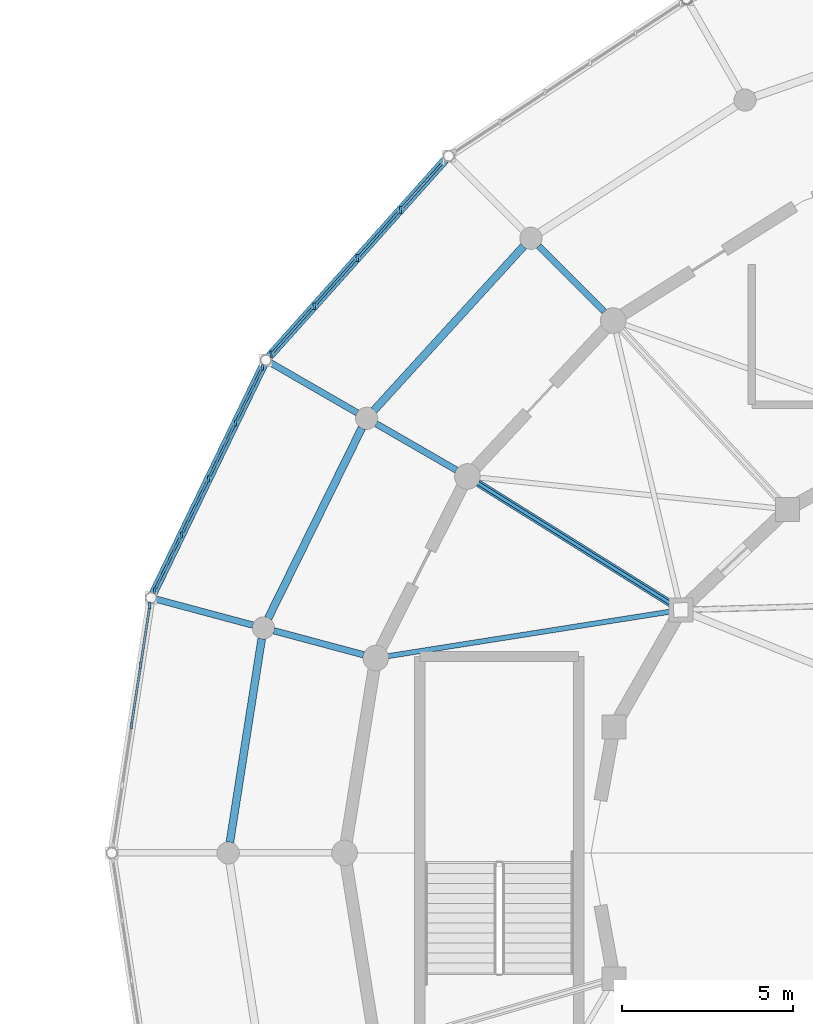
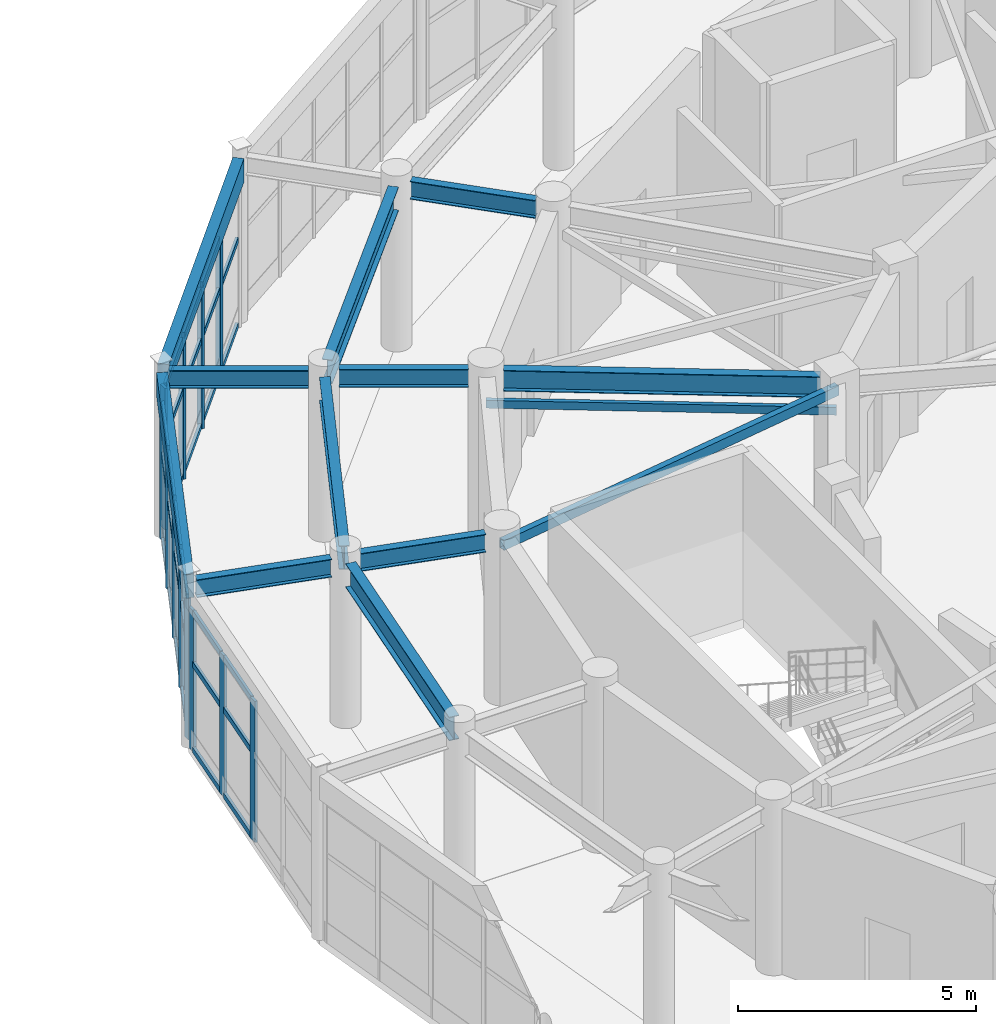
# One storey, part 20 of 60: 43 members, 11 beams, 3 elements without a shape of their own.
"""IFC4 building model written with IfcOpenShell, lengths in metres."""

import ifcopenshell
import ifcopenshell.guid

model = None  # the IFC model being written
_history = None  # IfcOwnerHistory: only IFC2X3 demands one
_inside = {}  # id of a spatial element -> (the spatial element, [elements in it])
_under = {}  # id of a project, library or spatial element -> (it, [spatial elements below it])
_declared = {}  # id of a project -> (the project, [libraries it declares])
_typed = {}  # id of a type object -> (the type object, [elements of that type])
_made_of = {}  # id of a material, layer set ... -> (it, [elements and type objects made of it])


def new_model(schema):
    """Start an empty IFC model of exactly this schema.

    Asked for "IFC4X3", IfcOpenShell would pick the latest addendum, in which some entities
    have other attributes; the version numbers below select the first issue.
    IFC2X3 requires an IfcOwnerHistory on every rooted entity: one is made here for all.
    """
    global model, _history
    if schema == "IFC4X3":
        model = ifcopenshell.file(schema_version=(4, 3, 0, 0))
    else:
        model = ifcopenshell.file(schema=schema)
    _inside.clear()
    _under.clear()
    _declared.clear()
    _typed.clear()
    _made_of.clear()
    _history = None
    if model.schema == "IFC2X3":
        org = make("IfcOrganization", Name="unknown")
        user = make(
            "IfcPersonAndOrganization",
            ThePerson=make("IfcPerson", FamilyName="unknown"),
            TheOrganization=org,
        )
        app = make(
            "IfcApplication",
            ApplicationDeveloper=org,
            Version="unknown",
            ApplicationFullName="unknown",
            ApplicationIdentifier="unknown",
        )
        _history = make(
            "IfcOwnerHistory",
            OwningUser=user,
            OwningApplication=app,
            ChangeAction="ADDED",
            CreationDate=0,
        )
    return model


def make(cls, **values):
    """One entity of the class cls with the attributes given. An attribute that is None is left unset."""
    return model.create_entity(
        cls, **{name: value for name, value in values.items() if value is not None}
    )


def rooted(cls, **values):
    """An entity with a GlobalId (a new one), such as an element, a storey or a relation."""
    return make(cls, GlobalId=ifcopenshell.guid.new(), OwnerHistory=_history, **values)


def si_unit(unit_type, name, prefix=None):
    """IfcSIUnit, for example si_unit("LENGTHUNIT", "METRE", prefix="MILLI")."""
    return make("IfcSIUnit", UnitType=unit_type, Prefix=prefix, Name=name)


def assignment(units):
    """IfcUnitAssignment: the units of a project."""
    return None if units is None else make("IfcUnitAssignment", Units=units)


def point(xyz):
    """IfcCartesianPoint."""
    return None if xyz is None else make("IfcCartesianPoint", Coordinates=xyz)


def direction(xyz):
    """IfcDirection."""
    return None if xyz is None else make("IfcDirection", DirectionRatios=xyz)


def frame(location, z_axis=None, x_axis=None):
    """IfcAxis2Placement3D, a coordinate frame: its origin and axes. An axis left out is left unset."""
    return make(
        "IfcAxis2Placement3D",
        Location=point(location),
        Axis=direction(z_axis),
        RefDirection=direction(x_axis),
    )


def frame_2d(location, x_axis=None):
    """IfcAxis2Placement2D, a coordinate frame in the plane: its origin and x axis."""
    return make(
        "IfcAxis2Placement2D", Location=point(location), RefDirection=direction(x_axis)
    )


def origin():
    """The frame at (0, 0, 0) with its axes left unset."""
    return frame((0.0, 0.0, 0.0))


def origin_2d():
    """The frame at (0, 0) in the plane with its x axis left unset."""
    return frame_2d((0.0, 0.0))


def place(relative_to, where):
    """IfcLocalPlacement: puts the frame where relative to a parent placement (None: the world)."""
    return make(
        "IfcLocalPlacement", PlacementRelTo=relative_to, RelativePlacement=where
    )


def context(
    kind, dimensions, precision=None, world=None, true_north=None, identifier=None
):
    """IfcGeometricRepresentationContext, for example the 3D "Model" context."""
    return make(
        "IfcGeometricRepresentationContext",
        ContextIdentifier=identifier,
        ContextType=kind,
        CoordinateSpaceDimension=dimensions,
        Precision=precision,
        WorldCoordinateSystem=world,
        TrueNorth=true_north,
    )


def subcontext(parent, identifier, kind, view, scale=None):
    """IfcGeometricRepresentationSubContext, for example "Body" below "Model"."""
    return make(
        "IfcGeometricRepresentationSubContext",
        ContextIdentifier=identifier,
        ContextType=kind,
        ParentContext=parent,
        TargetScale=scale,
        TargetView=view,
    )


def project(units=None, contexts=None):
    """IfcProject with its units and contexts."""
    return rooted(
        "IfcProject",
        Name="project",
        RepresentationContexts=contexts,
        UnitsInContext=assignment(units),
    )


def spatial(cls, under=None, at=None, **own):
    """A site, building, storey or space (cls), placed at a placement, below another one or the project."""
    s = rooted(cls, ObjectPlacement=at, **own)
    if under is not None:
        _under.setdefault(under.id(), (under, []))[1].append(s)
    return s


def profile(cls, at=None, kind="AREA", **sizes):
    """A parametric profile (cls). Its sizes go by their IFC names, for example OverallWidth=200.0."""
    return make(cls, ProfileType=kind, Position=at, **sizes)


def rectangle(**sizes):
    """IfcRectangleProfileDef."""
    return profile("IfcRectangleProfileDef", **sizes)


def hollow_rectangle(**sizes):
    """IfcRectangleHollowProfileDef."""
    return profile("IfcRectangleHollowProfileDef", **sizes)


def i_section(**sizes):
    """IfcIShapeProfileDef."""
    return profile("IfcIShapeProfileDef", **sizes)


def extrude(swept, where, along, depth):
    """IfcExtrudedAreaSolid: the profile swept, set in the frame where, extruded along a direction by depth."""
    return make(
        "IfcExtrudedAreaSolid",
        SweptArea=swept,
        Position=where,
        ExtrudedDirection=direction(along),
        Depth=depth,
    )


def shape(context_of_items, identifier, shape_type, items):
    """IfcShapeRepresentation: the items that make up one representation, for example the "Body"."""
    return make(
        "IfcShapeRepresentation",
        ContextOfItems=context_of_items,
        RepresentationIdentifier=identifier,
        RepresentationType=shape_type,
        Items=items,
    )


def material(Name=None, Category=None):
    """IfcMaterial."""
    return make("IfcMaterial", Name=Name, Category=Category)


def material_profile(
    of_material, cross_section, Name=None, Category=None, Priority=None
):
    """IfcMaterialProfile: a cross section and its material."""
    return make(
        "IfcMaterialProfile",
        Name=Name,
        Material=of_material,
        Profile=cross_section,
        Priority=Priority,
        Category=Category,
    )


def profile_set(profiles, Name=None, composite=None):
    """IfcMaterialProfileSet."""
    return make(
        "IfcMaterialProfileSet",
        Name=Name,
        MaterialProfiles=profiles,
        CompositeProfile=composite,
    )


def made_of(thing, what):
    """Note that an element or type object is made of a material, layer set ...; save() writes the relation."""
    if what is not None:
        _made_of.setdefault(what.id(), (what, []))[1].append(thing)
    return thing


def type_object(cls, material=None, **own):
    """A type object (cls), such as IfcWallType, which elements share."""
    return made_of(rooted(cls, **own), material)


def element(
    cls,
    number,
    at=None,
    inside=None,
    cuts=None,
    type_object=None,
    material=None,
    context=None,
    identifier="Body",
    shape_type=None,
    held_by="IfcProductDefinitionShape",
    body=None,
    shapes=None,
    **own,
):
    """One element of the class cls, such as IfcWall. Its Tag is "e" and its number.

    at: its placement. inside: the storey or other place that contains it. cuts: it is an
    opening in that element (IfcRelVoidsElement). A single representation is given by context,
    identifier, shape_type and body (its items); several are given by shapes. held_by: the class
    of the entity that holds the representations. save() writes the other relations.
    """
    e = rooted(cls, Tag="e%d" % number, ObjectPlacement=at, **own)
    if body is not None:
        shapes = [shape(context, identifier, shape_type, body)]
    if shapes is not None:
        e.Representation = make(held_by, Representations=shapes)
    if inside is not None:
        _inside.setdefault(inside.id(), (inside, []))[1].append(e)
    if cuts is not None:
        rooted(
            "IfcRelVoidsElement", RelatingBuildingElement=cuts, RelatedOpeningElement=e
        )
    if type_object is not None:
        _typed.setdefault(type_object.id(), (type_object, []))[1].append(e)
    return made_of(e, material)


def aggregate(whole, parts):
    """IfcRelAggregates: a whole, such as a stair, and the parts it consists of."""
    return rooted("IfcRelAggregates", RelatingObject=whole, RelatedObjects=parts)


def save(model, path):
    """Write the relations noted so far, then the file.

    IfcRelAggregates (storeys below a building ...), IfcRelContainedInSpatialStructure (elements
    in a storey), IfcRelDefinesByType, IfcRelAssociatesMaterial and IfcRelDeclares: one each for
    every whole, place, type object, material and project.
    """
    for whole, parts in _under.values():
        aggregate(whole, parts)
    for where, things in _inside.values():
        rooted(
            "IfcRelContainedInSpatialStructure",
            RelatedElements=things,
            RelatingStructure=where,
        )
    for kind, things in _typed.values():
        rooted("IfcRelDefinesByType", RelatedObjects=things, RelatingType=kind)
    for what, things in _made_of.values():
        rooted("IfcRelAssociatesMaterial", RelatedObjects=things, RelatingMaterial=what)
    for by, libraries in _declared.values():
        rooted("IfcRelDeclares", RelatingContext=by, RelatedDefinitions=libraries)
    model.write(path)


model = new_model("IFC4")

# Units and contexts
model_context = context("Model", 3, precision=1e-05, world=origin(), true_north=direction((0.0, 1.0)))
body_context = subcontext(model_context, "Body", "Model", "MODEL_VIEW")
ifc_project = project(units=[si_unit("LENGTHUNIT", "METRE"), si_unit("AREAUNIT", "SQUARE_METRE"), si_unit("VOLUMEUNIT", "CUBIC_METRE"), si_unit("PLANEANGLEUNIT", "RADIAN"), si_unit("MASSUNIT", "GRAM", prefix="KILO")], contexts=[model_context])

# Site, building, storey
site_placement = place(None, origin())
site = spatial("IfcSite", under=ifc_project, at=site_placement, CompositionType="ELEMENT")
building_placement = place(site_placement, origin())
building = spatial("IfcBuilding", under=site, at=building_placement, Name="Cinderbank Siding Concert Hall", CompositionType="ELEMENT")
storey_placement = place(building_placement, frame((0.0, 0.0, 14.699951171875)))
storey = spatial("IfcBuildingStorey", under=building, at=storey_placement, Name="L04", CompositionType="ELEMENT", Elevation=14.699951171875)

# Beams
ifc_material_1 = material(Name="Structural steel AS/NZS 3679.1 Grade 350 (340 MPa)", Category="steel")
ifc_material_profile_1 = material_profile(ifc_material_1, i_section(OverallWidth=0.19091796875, OverallDepth=0.46044921875, WebThickness=0.010009765625, FlangeThickness=0.01611328125, at=origin_2d()), Name="460UB82.1", Category="LoadBearing")
ifc_profile_set_1 = profile_set([ifc_material_profile_1], Name="Structural steel AS/NZS 3679.1 Grade 350 (340 MPa)")
beam_type_1 = type_object("IfcBeamType", Name="BM-UB460H 460UB82.1", PredefinedType="BEAM", material=ifc_profile_set_1)
beam_1_placement = place(storey_placement, frame((102.7900390625, 59.81591796875, 4.03173828125), z_axis=(-0.707151723938, 0.707061835578, 0.0), x_axis=(-0.707061835578, -0.707151723938, 0.0)))
element("IfcBeam", 1, at=beam_1_placement, inside=storey, type_object=beam_type_1, Name="L04 Beam BM-UB460H #720", PredefinedType="BEAM", context=body_context, shape_type="SweptSolid", body=[
    extrude(i_section(OverallWidth=0.19091796875, OverallDepth=0.46044921875, WebThickness=0.010009765625, FlangeThickness=0.01611328125, at=origin_2d()), origin(), (0.0, 0.0, 1.0), 2.716064453125),
])
beam_2_placement = place(storey_placement, frame((98.47265625, 55.18359375, 4.03173828125), z_axis=(-0.866032896488, 0.499987022033, 0.0), x_axis=(-0.499987022033, -0.866032896488, 0.0)))
element("IfcBeam", 2, at=beam_2_placement, inside=storey, type_object=beam_type_1, Name="L04 Beam BM-UB460H #721", PredefinedType="BEAM", context=body_context, shape_type="SweptSolid", body=[
    extrude(i_section(OverallWidth=0.19091796875, OverallDepth=0.46044921875, WebThickness=0.010009765625, FlangeThickness=0.01611328125, at=origin_2d()), origin(), (0.0, 0.0, 1.0), 2.7158203125),
])
beam_3_placement = place(storey_placement, frame((95.7587890625, 49.7890625, 4.03173828125), z_axis=(-0.965934410535, 0.258787006135, 0.0), x_axis=(-0.258787006135, -0.965934410535, 0.0)))
element("IfcBeam", 3, at=beam_3_placement, inside=storey, type_object=beam_type_1, Name="L04 Beam BM-UB460H #722", PredefinedType="BEAM", context=body_context, shape_type="SweptSolid", body=[
    extrude(i_section(OverallWidth=0.19091796875, OverallDepth=0.46044921875, WebThickness=0.010009765625, FlangeThickness=0.01611328125, at=origin_2d()), origin(), (0.0, 0.0, 1.0), 2.716064453125),
])
beam_4_placement = place(storey_placement, frame((95.571533203125, 56.8583984375, 4.001953125), z_axis=(-0.866013467834, 0.500020673103, 0.0), x_axis=(-0.500020673103, -0.866013467834, 0.0)))
element("IfcBeam", 4, at=beam_4_placement, inside=storey, type_object=beam_type_1, Name="L04 Beam BM-UB460H #745", PredefinedType="BEAM", context=body_context, shape_type="SweptSolid", body=[
    extrude(i_section(OverallWidth=0.19091796875, OverallDepth=0.46044921875, WebThickness=0.010009765625, FlangeThickness=0.01611328125, at=origin_2d()), origin(), (0.0, 0.0, 1.0), 2.92919921875),
])
beam_5_placement = place(storey_placement, frame((92.522705078125, 50.656005859375, 4.001953125), z_axis=(-0.965904885504, 0.258897184534, 0.0), x_axis=(-0.258897184534, -0.965904885504, 0.0)))
element("IfcBeam", 5, at=beam_5_placement, inside=storey, type_object=beam_type_1, Name="L04 Beam BM-UB460H #746", PredefinedType="BEAM", context=body_context, shape_type="SweptSolid", body=[
    extrude(i_section(OverallWidth=0.19091796875, OverallDepth=0.46044921875, WebThickness=0.010009765625, FlangeThickness=0.01611328125, at=origin_2d()), origin(), (0.0, 0.0, 1.0), 2.928955078125),
])
ifc_material_profile_2 = material_profile(ifc_material_1, i_section(OverallWidth=0.208984375, OverallDepth=0.532958984375, WebThickness=0.01025390625, FlangeThickness=0.015625, at=origin_2d()), Name="530UB92.4", Category="LoadBearing")
ifc_profile_set_2 = profile_set([ifc_material_profile_2], Name="Structural steel AS/NZS 3679.1 Grade 350 (340 MPa)")
beam_type_2 = type_object("IfcBeamType", Name="BM-UB530H 530UB92.4", PredefinedType="BEAM", material=ifc_profile_set_2)
beam_6_placement = place(storey_placement, frame((104.73583984375, 51.281494140625, 3.985595703125), z_axis=(-0.84781868984, 0.530286214376, 0.0), x_axis=(-0.530286214376, -0.84781868984, 0.0)))
element("IfcBeam", 6, at=beam_6_placement, inside=storey, type_object=beam_type_2, Name="L04 Beam BM-UB530H #703", PredefinedType="BEAM", context=body_context, shape_type="SweptSolid", body=[
    extrude(i_section(OverallWidth=0.208984375, OverallDepth=0.532958984375, WebThickness=0.01025390625, FlangeThickness=0.015625, at=origin_2d()), origin(), (0.0, 0.0, 1.0), 6.645263671875),
])
ifc_material_profile_3 = material_profile(ifc_material_1, i_section(OverallWidth=0.22802734375, OverallDepth=0.60693359375, WebThickness=0.01123046875, FlangeThickness=0.017333984375, at=origin_2d()), Name="610UB113", Category="LoadBearing")
ifc_profile_set_3 = profile_set([ifc_material_profile_3], Name="Structural steel AS/NZS 3679.1 Grade 350 (340 MPa)")
beam_type_3 = type_object("IfcBeamType", Name="BM-UB610M 610UB113", PredefinedType="BEAM", material=ifc_profile_set_3)
beam_7_placement = place(storey_placement, frame((100.431640625, 61.726318359375, 3.928466796875), z_axis=(-0.67395874418, -0.73876898361, 0.0), x_axis=(0.73876898361, -0.67395874418, 0.0)))
element("IfcBeam", 7, at=beam_7_placement, inside=storey, type_object=beam_type_3, Name="L04 Beam BM-UB610M #661", PredefinedType="BEAM", context=body_context, shape_type="SweptSolid", body=[
    extrude(i_section(OverallWidth=0.22802734375, OverallDepth=0.60693359375, WebThickness=0.01123046875, FlangeThickness=0.017333984375, at=origin_2d()), origin(), (0.0, 0.0, 1.0), 6.48681640625),
])
beam_8_placement = place(storey_placement, frame((95.705810546875, 56.41552734375, 3.928466796875), z_axis=(-0.441813843649, -0.897106753714, 0.0), x_axis=(0.897106753714, -0.441813843649, 0.0)))
element("IfcBeam", 8, at=beam_8_placement, inside=storey, type_object=beam_type_3, Name="L04 Beam BM-UB610M #662", PredefinedType="BEAM", context=body_context, shape_type="SweptSolid", body=[
    extrude(i_section(OverallWidth=0.22802734375, OverallDepth=0.60693359375, WebThickness=0.01123046875, FlangeThickness=0.017333984375, at=origin_2d()), origin(), (0.0, 0.0, 1.0), 6.194580078125),
])
beam_9_placement = place(storey_placement, frame((92.780029296875, 50.2607421875, 3.928466796875), z_axis=(-0.154637914322, -0.987971211855, 0.0), x_axis=(0.987971211855, -0.154637914322, 0.0)))
element("IfcBeam", 9, at=beam_9_placement, inside=storey, type_object=beam_type_3, Name="L04 Beam BM-UB610M #663", PredefinedType="BEAM", context=body_context, shape_type="SweptSolid", body=[
    extrude(i_section(OverallWidth=0.22802734375, OverallDepth=0.60693359375, WebThickness=0.01123046875, FlangeThickness=0.017333984375, at=origin_2d()), origin(), (0.0, 0.0, 1.0), 6.02001953125),
])

# Curtain wall, members
ifc_material_2 = material(Name="Anodised aluminium alloy 6063-T6", Category="aluminium")
curtain_wall_type_1 = type_object("IfcCurtainWallType", Name="CW-11 Unitised Acoustic Curtain Wall 6600x3500", PredefinedType="NOTDEFINED", material=ifc_material_2)
curtain_wall_1_placement = place(storey_placement, origin())
curtain_wall_1 = element("IfcCurtainWall", 10, at=curtain_wall_1_placement, inside=storey, type_object=curtain_wall_type_1, Name="L04 Curtain Wall CW-11 #58", PredefinedType="NOTDEFINED")
ifc_material_profile_4 = material_profile(ifc_material_2, rectangle(XDim=0.06005859375, YDim=0.159912109375, at=origin_2d()), Name="ALU-MULL-60x160", Category="LoadBearing")
ifc_profile_set_4 = profile_set([ifc_material_profile_4], Name="Anodised aluminium alloy 6063-T6")
member_type_1 = type_object("IfcMemberType", Name="CW-ML1 Mullion 60x160", PredefinedType="MULLION", material=ifc_profile_set_4)
member_1_placement = place(storey_placement, frame((92.802734375, 58.19580078125, 0.0), z_axis=(0.0, 0.0, 1.0), x_axis=(1.0, 0.0, 0.0)))
member_1 = element("IfcMember", 11, at=member_1_placement, type_object=member_type_1, Name="CW-L04-058 Mullion 0", PredefinedType="MULLION", context=body_context, shape_type="SweptSolid", body=[
    extrude(rectangle(XDim=0.06005859375, YDim=0.159912109375, at=origin_2d()), origin(), (0.0, 0.0, 1.0), 3.616943359375),
])
member_2_placement = place(storey_placement, frame((92.012939453125, 56.561279296875, 0.0), z_axis=(0.0, 0.0, 1.0), x_axis=(1.0, 0.0, 0.0)))
member_2 = element("IfcMember", 12, at=member_2_placement, type_object=member_type_1, Name="CW-L04-058 Mullion 1", PredefinedType="MULLION", context=body_context, shape_type="SweptSolid", body=[
    extrude(rectangle(XDim=0.06005859375, YDim=0.159912109375, at=origin_2d()), origin(), (0.0, 0.0, 1.0), 3.616943359375),
])
member_3_placement = place(storey_placement, frame((91.22314453125, 54.927001953125, 0.0), z_axis=(0.0, 0.0, 1.0), x_axis=(1.0, 0.0, 0.0)))
member_3 = element("IfcMember", 13, at=member_3_placement, type_object=member_type_1, Name="CW-L04-058 Mullion 2", PredefinedType="MULLION", context=body_context, shape_type="SweptSolid", body=[
    extrude(rectangle(XDim=0.06005859375, YDim=0.159912109375, at=origin_2d()), origin(), (0.0, 0.0, 1.0), 3.616943359375),
])
member_4_placement = place(storey_placement, frame((90.433349609375, 53.292724609375, 0.0), z_axis=(0.0, 0.0, 1.0), x_axis=(1.0, 0.0, 0.0)))
member_4 = element("IfcMember", 14, at=member_4_placement, type_object=member_type_1, Name="CW-L04-058 Mullion 3", PredefinedType="MULLION", context=body_context, shape_type="SweptSolid", body=[
    extrude(rectangle(XDim=0.06005859375, YDim=0.159912109375, at=origin_2d()), origin(), (0.0, 0.0, 1.0), 3.616943359375),
])
member_5_placement = place(storey_placement, frame((89.6435546875, 51.658203125, 0.0), z_axis=(0.0, 0.0, 1.0), x_axis=(1.0, 0.0, 0.0)))
member_5 = element("IfcMember", 15, at=member_5_placement, type_object=member_type_1, Name="CW-L04-058 Mullion 4", PredefinedType="MULLION", context=body_context, shape_type="SweptSolid", body=[
    extrude(rectangle(XDim=0.06005859375, YDim=0.159912109375, at=origin_2d()), origin(), (0.0, 0.0, 1.0), 3.616943359375),
])

curtain_wall_type_2 = type_object("IfcCurtainWallType", Name="CW-10 Unitised Acoustic Curtain Wall 7200x3500", PredefinedType="NOTDEFINED", material=ifc_material_2)
curtain_wall_2_placement = place(storey_placement, origin())
curtain_wall_2 = element("IfcCurtainWall", 16, at=curtain_wall_2_placement, inside=storey, type_object=curtain_wall_type_2, Name="L04 Curtain Wall CW-10 #57", PredefinedType="NOTDEFINED")
ifc_material_profile_5 = material_profile(ifc_material_2, rectangle(XDim=0.06494140625, YDim=0.199951171875, at=origin_2d()), Name="ALU-MULL-65x200", Category="LoadBearing")
ifc_profile_set_5 = profile_set([ifc_material_profile_5], Name="Anodised aluminium alloy 6063-T6")
member_type_2 = type_object("IfcMemberType", Name="CW-ML2 Mullion 65x200", PredefinedType="MULLION", material=ifc_profile_set_5)
member_6_placement = place(storey_placement, frame((96.83056640625, 62.7890625, 0.0), z_axis=(0.0, 0.0, 1.0), x_axis=(1.0, 0.0, 0.0)))
member_6 = element("IfcMember", 17, at=member_6_placement, type_object=member_type_2, Name="CW-L04-057 Mullion 1", PredefinedType="MULLION", context=body_context, shape_type="SweptSolid", body=[
    extrude(rectangle(XDim=0.06494140625, YDim=0.199951171875, at=origin_2d()), origin(), (0.0, 0.0, 1.0), 3.616943359375),
])
member_7_placement = place(storey_placement, frame((95.5712890625, 61.38232421875, 0.0), z_axis=(0.0, 0.0, 1.0), x_axis=(1.0, 0.0, 0.0)))
member_7 = element("IfcMember", 18, at=member_7_placement, type_object=member_type_2, Name="CW-L04-057 Mullion 2", PredefinedType="MULLION", context=body_context, shape_type="SweptSolid", body=[
    extrude(rectangle(XDim=0.06494140625, YDim=0.199951171875, at=origin_2d()), origin(), (0.0, 0.0, 1.0), 3.616943359375),
])
member_8_placement = place(storey_placement, frame((94.31201171875, 59.9755859375, 0.0), z_axis=(0.0, 0.0, 1.0), x_axis=(1.0, 0.0, 0.0)))
member_8 = element("IfcMember", 19, at=member_8_placement, type_object=member_type_2, Name="CW-L04-057 Mullion 3", PredefinedType="MULLION", context=body_context, shape_type="SweptSolid", body=[
    extrude(rectangle(XDim=0.06494140625, YDim=0.199951171875, at=origin_2d()), origin(), (0.0, 0.0, 1.0), 3.616943359375),
])
member_9_placement = place(storey_placement, frame((93.052978515625, 58.569091796875, 0.0), z_axis=(0.0, 0.0, 1.0), x_axis=(1.0, 0.0, 0.0)))
member_9 = element("IfcMember", 20, at=member_9_placement, type_object=member_type_2, Name="CW-L04-057 Mullion 4", PredefinedType="MULLION", context=body_context, shape_type="SweptSolid", body=[
    extrude(rectangle(XDim=0.06494140625, YDim=0.199951171875, at=origin_2d()), origin(), (0.0, 0.0, 1.0), 3.616943359375),
])

curtain_wall_type_3 = type_object("IfcCurtainWallType", Name="CW-12 Unitised Acoustic Curtain Wall 5800x3500", PredefinedType="NOTDEFINED", material=ifc_material_2)
curtain_wall_3_placement = place(storey_placement, origin())
curtain_wall_3 = element("IfcCurtainWall", 21, at=curtain_wall_3_placement, inside=storey, type_object=curtain_wall_type_3, Name="L04 Curtain Wall CW-12 #59", PredefinedType="NOTDEFINED")
member_10_placement = place(storey_placement, frame((89.510498046875, 51.229736328125, 0.0), z_axis=(0.0, 0.0, 1.0), x_axis=(1.0, 0.0, 0.0)))
member_10 = element("IfcMember", 22, at=member_10_placement, type_object=member_type_2, Name="CW-L04-059 Mullion 0", PredefinedType="MULLION", context=body_context, shape_type="SweptSolid", body=[
    extrude(rectangle(XDim=0.06494140625, YDim=0.199951171875, at=origin_2d()), origin(), (0.0, 0.0, 1.0), 3.616943359375),
])
member_11_placement = place(storey_placement, frame((89.241455078125, 49.478271484375, 0.0), z_axis=(0.0, 0.0, 1.0), x_axis=(1.0, 0.0, 0.0)))
member_11 = element("IfcMember", 23, at=member_11_placement, type_object=member_type_2, Name="CW-L04-059 Mullion 1", PredefinedType="MULLION", context=body_context, shape_type="SweptSolid", body=[
    extrude(rectangle(XDim=0.06494140625, YDim=0.199951171875, at=origin_2d()), origin(), (0.0, 0.0, 1.0), 3.616943359375),
])
member_12_placement = place(storey_placement, frame((88.972412109375, 47.72705078125, 0.0), z_axis=(0.0, 0.0, 1.0), x_axis=(1.0, 0.0, 0.0)))
member_12 = element("IfcMember", 24, at=member_12_placement, type_object=member_type_2, Name="CW-L04-059 Mullion 2", PredefinedType="MULLION", context=body_context, shape_type="SweptSolid", body=[
    extrude(rectangle(XDim=0.06494140625, YDim=0.199951171875, at=origin_2d()), origin(), (0.0, 0.0, 1.0), 3.616943359375),
])

# Member
ifc_material_profile_6 = material_profile(ifc_material_2, rectangle(XDim=0.06005859375, YDim=0.1201171875, at=origin_2d()), Name="ALU-TRAN-60x120", Category="LoadBearing")
ifc_profile_set_6 = profile_set([ifc_material_profile_6], Name="Anodised aluminium alloy 6063-T6")
member_type_3 = type_object("IfcMemberType", Name="CW-TR1 Transom 60x120", PredefinedType="USERDEFINED", material=ifc_profile_set_6)
member_13_placement = place(storey_placement, frame((92.76318359375, 58.114013671875, 0.06005859375), z_axis=(-0.435037415308, -0.900412376238, 0.0), x_axis=(0.900412376238, -0.435037415308, 0.0)))
member_13 = element("IfcMember", 25, at=member_13_placement, type_object=member_type_3, Name="CW-L04-058 Transom 0-0", ObjectType="TRANSOM", PredefinedType="USERDEFINED", context=body_context, shape_type="SweptSolid", body=[
    extrude(rectangle(XDim=0.06005859375, YDim=0.1201171875, at=origin_2d()), origin(), (0.0, 0.0, 1.0), 1.633544921875),
])

member_14_placement = place(storey_placement, frame((92.76318359375, 58.114013671875, 2.242431640625), z_axis=(-0.435037415308, -0.900412376238, 0.0), x_axis=(0.900412376238, -0.435037415308, 0.0)))
member_14 = element("IfcMember", 26, at=member_14_placement, type_object=member_type_3, Name="CW-L04-058 Transom 0-1", ObjectType="TRANSOM", PredefinedType="USERDEFINED", context=body_context, shape_type="SweptSolid", body=[
    extrude(rectangle(XDim=0.06005859375, YDim=0.1201171875, at=origin_2d()), origin(), (0.0, 0.0, 1.0), 1.633544921875),
])

member_15_placement = place(storey_placement, frame((92.76318359375, 58.114013671875, 3.55712890625), z_axis=(-0.435037415308, -0.900412376238, 0.0), x_axis=(0.900412376238, -0.435037415308, 0.0)))
member_15 = element("IfcMember", 27, at=member_15_placement, type_object=member_type_3, Name="CW-L04-058 Transom 0-2", ObjectType="TRANSOM", PredefinedType="USERDEFINED", context=body_context, shape_type="SweptSolid", body=[
    extrude(rectangle(XDim=0.06005859375, YDim=0.1201171875, at=origin_2d()), origin(), (0.0, 0.0, 1.0), 1.633544921875),
])

member_16_placement = place(storey_placement, frame((91.973388671875, 56.4794921875, 0.06005859375), z_axis=(-0.435095962233, -0.900384086737, 0.0), x_axis=(0.900384086737, -0.435095962233, 0.0)))
member_16 = element("IfcMember", 28, at=member_16_placement, type_object=member_type_3, Name="CW-L04-058 Transom 1-0", ObjectType="TRANSOM", PredefinedType="USERDEFINED", context=body_context, shape_type="SweptSolid", body=[
    extrude(rectangle(XDim=0.06005859375, YDim=0.1201171875, at=origin_2d()), origin(), (0.0, 0.0, 1.0), 1.63330078125),
])

member_17_placement = place(storey_placement, frame((91.973388671875, 56.4794921875, 2.242431640625), z_axis=(-0.435095962233, -0.900384086737, 0.0), x_axis=(0.900384086737, -0.435095962233, 0.0)))
member_17 = element("IfcMember", 29, at=member_17_placement, type_object=member_type_3, Name="CW-L04-058 Transom 1-1", ObjectType="TRANSOM", PredefinedType="USERDEFINED", context=body_context, shape_type="SweptSolid", body=[
    extrude(rectangle(XDim=0.06005859375, YDim=0.1201171875, at=origin_2d()), origin(), (0.0, 0.0, 1.0), 1.63330078125),
])

member_18_placement = place(storey_placement, frame((91.973388671875, 56.4794921875, 3.55712890625), z_axis=(-0.435095962233, -0.900384086737, 0.0), x_axis=(0.900384086737, -0.435095962233, 0.0)))
member_18 = element("IfcMember", 30, at=member_18_placement, type_object=member_type_3, Name="CW-L04-058 Transom 1-2", ObjectType="TRANSOM", PredefinedType="USERDEFINED", context=body_context, shape_type="SweptSolid", body=[
    extrude(rectangle(XDim=0.06005859375, YDim=0.1201171875, at=origin_2d()), origin(), (0.0, 0.0, 1.0), 1.63330078125),
])

member_19_placement = place(storey_placement, frame((91.18359375, 54.84521484375, 0.06005859375), z_axis=(-0.435095962233, -0.900384086737, 0.0), x_axis=(0.900384086737, -0.435095962233, 0.0)))
member_19 = element("IfcMember", 31, at=member_19_placement, type_object=member_type_3, Name="CW-L04-058 Transom 2-0", ObjectType="TRANSOM", PredefinedType="USERDEFINED", context=body_context, shape_type="SweptSolid", body=[
    extrude(rectangle(XDim=0.06005859375, YDim=0.1201171875, at=origin_2d()), origin(), (0.0, 0.0, 1.0), 1.63330078125),
])

member_20_placement = place(storey_placement, frame((91.18359375, 54.84521484375, 2.242431640625), z_axis=(-0.435095962233, -0.900384086737, 0.0), x_axis=(0.900384086737, -0.435095962233, 0.0)))
member_20 = element("IfcMember", 32, at=member_20_placement, type_object=member_type_3, Name="CW-L04-058 Transom 2-1", ObjectType="TRANSOM", PredefinedType="USERDEFINED", context=body_context, shape_type="SweptSolid", body=[
    extrude(rectangle(XDim=0.06005859375, YDim=0.1201171875, at=origin_2d()), origin(), (0.0, 0.0, 1.0), 1.63330078125),
])

member_21_placement = place(storey_placement, frame((91.18359375, 54.84521484375, 3.55712890625), z_axis=(-0.435095962233, -0.900384086737, 0.0), x_axis=(0.900384086737, -0.435095962233, 0.0)))
member_21 = element("IfcMember", 33, at=member_21_placement, type_object=member_type_3, Name="CW-L04-058 Transom 2-2", ObjectType="TRANSOM", PredefinedType="USERDEFINED", context=body_context, shape_type="SweptSolid", body=[
    extrude(rectangle(XDim=0.06005859375, YDim=0.1201171875, at=origin_2d()), origin(), (0.0, 0.0, 1.0), 1.63330078125),
])

member_22_placement = place(storey_placement, frame((90.393798828125, 53.2109375, 0.06005859375), z_axis=(-0.435037415308, -0.900412376238, 0.0), x_axis=(0.900412376238, -0.435037415308, 0.0)))
member_22 = element("IfcMember", 34, at=member_22_placement, type_object=member_type_3, Name="CW-L04-058 Transom 3-0", ObjectType="TRANSOM", PredefinedType="USERDEFINED", context=body_context, shape_type="SweptSolid", body=[
    extrude(rectangle(XDim=0.06005859375, YDim=0.1201171875, at=origin_2d()), origin(), (0.0, 0.0, 1.0), 1.633544921875),
])

member_23_placement = place(storey_placement, frame((90.393798828125, 53.2109375, 2.242431640625), z_axis=(-0.435037415308, -0.900412376238, 0.0), x_axis=(0.900412376238, -0.435037415308, 0.0)))
member_23 = element("IfcMember", 35, at=member_23_placement, type_object=member_type_3, Name="CW-L04-058 Transom 3-1", ObjectType="TRANSOM", PredefinedType="USERDEFINED", context=body_context, shape_type="SweptSolid", body=[
    extrude(rectangle(XDim=0.06005859375, YDim=0.1201171875, at=origin_2d()), origin(), (0.0, 0.0, 1.0), 1.633544921875),
])

member_24_placement = place(storey_placement, frame((90.393798828125, 53.2109375, 3.55712890625), z_axis=(-0.435037415308, -0.900412376238, 0.0), x_axis=(0.900412376238, -0.435037415308, 0.0)))
member_24 = element("IfcMember", 36, at=member_24_placement, type_object=member_type_3, Name="CW-L04-058 Transom 3-2", ObjectType="TRANSOM", PredefinedType="USERDEFINED", context=body_context, shape_type="SweptSolid", body=[
    extrude(rectangle(XDim=0.06005859375, YDim=0.1201171875, at=origin_2d()), origin(), (0.0, 0.0, 1.0), 1.633544921875),
])

aggregate(curtain_wall_1, [member_1, member_2, member_3, member_4, member_5, member_13, member_14, member_15, member_16, member_17, member_18, member_19, member_20, member_21, member_22, member_23, member_24])

ifc_material_profile_7 = material_profile(ifc_material_2, rectangle(XDim=0.06494140625, YDim=0.14990234375, at=origin_2d()), Name="ALU-TRAN-65x150", Category="LoadBearing")
ifc_profile_set_7 = profile_set([ifc_material_profile_7], Name="Anodised aluminium alloy 6063-T6")
member_type_4 = type_object("IfcMemberType", Name="CW-TR2 Transom 65x150", PredefinedType="USERDEFINED", material=ifc_profile_set_7)
member_25_placement = place(storey_placement, frame((98.02685546875, 64.125244140625, 0.06005859375), z_axis=(-0.667017441515, -0.745042101304, 0.0), x_axis=(0.745042101304, -0.667017441515, 0.0)))
member_25 = element("IfcMember", 37, at=member_25_placement, type_object=member_type_4, Name="CW-L04-057 Transom 0-0", ObjectType="TRANSOM", PredefinedType="USERDEFINED", context=body_context, shape_type="SweptSolid", body=[
    extrude(rectangle(XDim=0.06494140625, YDim=0.14990234375, at=origin_2d()), origin(), (0.0, 0.0, 1.0), 1.698974609375),
])

member_26_placement = place(storey_placement, frame((98.02685546875, 64.125244140625, 2.242431640625), z_axis=(-0.667017441515, -0.745042101304, 0.0), x_axis=(0.745042101304, -0.667017441515, 0.0)))
member_26 = element("IfcMember", 38, at=member_26_placement, type_object=member_type_4, Name="CW-L04-057 Transom 0-1", ObjectType="TRANSOM", PredefinedType="USERDEFINED", context=body_context, shape_type="SweptSolid", body=[
    extrude(rectangle(XDim=0.06494140625, YDim=0.14990234375, at=origin_2d()), origin(), (0.0, 0.0, 1.0), 1.698974609375),
])

member_27_placement = place(storey_placement, frame((96.767578125, 62.718505859375, 0.06005859375), z_axis=(-0.667017441515, -0.745042101304, 0.0), x_axis=(0.745042101304, -0.667017441515, 0.0)))
member_27 = element("IfcMember", 39, at=member_27_placement, type_object=member_type_4, Name="CW-L04-057 Transom 1-0", ObjectType="TRANSOM", PredefinedType="USERDEFINED", context=body_context, shape_type="SweptSolid", body=[
    extrude(rectangle(XDim=0.06494140625, YDim=0.14990234375, at=origin_2d()), origin(), (0.0, 0.0, 1.0), 1.698974609375),
])

member_28_placement = place(storey_placement, frame((96.767578125, 62.718505859375, 2.242431640625), z_axis=(-0.667017441515, -0.745042101304, 0.0), x_axis=(0.745042101304, -0.667017441515, 0.0)))
member_28 = element("IfcMember", 40, at=member_28_placement, type_object=member_type_4, Name="CW-L04-057 Transom 1-1", ObjectType="TRANSOM", PredefinedType="USERDEFINED", context=body_context, shape_type="SweptSolid", body=[
    extrude(rectangle(XDim=0.06494140625, YDim=0.14990234375, at=origin_2d()), origin(), (0.0, 0.0, 1.0), 1.698974609375),
])

member_29_placement = place(storey_placement, frame((96.767578125, 62.718505859375, 3.55712890625), z_axis=(-0.667017441515, -0.745042101304, 0.0), x_axis=(0.745042101304, -0.667017441515, 0.0)))
member_29 = element("IfcMember", 41, at=member_29_placement, type_object=member_type_4, Name="CW-L04-057 Transom 1-2", ObjectType="TRANSOM", PredefinedType="USERDEFINED", context=body_context, shape_type="SweptSolid", body=[
    extrude(rectangle(XDim=0.06494140625, YDim=0.14990234375, at=origin_2d()), origin(), (0.0, 0.0, 1.0), 1.698974609375),
])

member_30_placement = place(storey_placement, frame((95.50830078125, 61.31201171875, 0.06005859375), z_axis=(-0.667017441515, -0.745042101304, 0.0), x_axis=(0.745042101304, -0.667017441515, 0.0)))
member_30 = element("IfcMember", 42, at=member_30_placement, type_object=member_type_4, Name="CW-L04-057 Transom 2-0", ObjectType="TRANSOM", PredefinedType="USERDEFINED", context=body_context, shape_type="SweptSolid", body=[
    extrude(rectangle(XDim=0.06494140625, YDim=0.14990234375, at=origin_2d()), origin(), (0.0, 0.0, 1.0), 1.698974609375),
])

member_31_placement = place(storey_placement, frame((95.50830078125, 61.31201171875, 2.242431640625), z_axis=(-0.667017441515, -0.745042101304, 0.0), x_axis=(0.745042101304, -0.667017441515, 0.0)))
member_31 = element("IfcMember", 43, at=member_31_placement, type_object=member_type_4, Name="CW-L04-057 Transom 2-1", ObjectType="TRANSOM", PredefinedType="USERDEFINED", context=body_context, shape_type="SweptSolid", body=[
    extrude(rectangle(XDim=0.06494140625, YDim=0.14990234375, at=origin_2d()), origin(), (0.0, 0.0, 1.0), 1.698974609375),
])

member_32_placement = place(storey_placement, frame((95.50830078125, 61.31201171875, 3.55712890625), z_axis=(-0.667017441515, -0.745042101304, 0.0), x_axis=(0.745042101304, -0.667017441515, 0.0)))
member_32 = element("IfcMember", 44, at=member_32_placement, type_object=member_type_4, Name="CW-L04-057 Transom 2-2", ObjectType="TRANSOM", PredefinedType="USERDEFINED", context=body_context, shape_type="SweptSolid", body=[
    extrude(rectangle(XDim=0.06494140625, YDim=0.14990234375, at=origin_2d()), origin(), (0.0, 0.0, 1.0), 1.698974609375),
])

member_33_placement = place(storey_placement, frame((94.249267578125, 59.905517578125, 0.06005859375), z_axis=(-0.667025792822, -0.745034624504, 0.0), x_axis=(0.745034624504, -0.667025792822, 0.0)))
member_33 = element("IfcMember", 45, at=member_33_placement, type_object=member_type_4, Name="CW-L04-057 Transom 3-0", ObjectType="TRANSOM", PredefinedType="USERDEFINED", context=body_context, shape_type="SweptSolid", body=[
    extrude(rectangle(XDim=0.06494140625, YDim=0.14990234375, at=origin_2d()), origin(), (0.0, 0.0, 1.0), 1.699462890625),
])

member_34_placement = place(storey_placement, frame((94.249267578125, 59.905517578125, 2.242431640625), z_axis=(-0.667025792822, -0.745034624504, 0.0), x_axis=(0.745034624504, -0.667025792822, 0.0)))
member_34 = element("IfcMember", 46, at=member_34_placement, type_object=member_type_4, Name="CW-L04-057 Transom 3-1", ObjectType="TRANSOM", PredefinedType="USERDEFINED", context=body_context, shape_type="SweptSolid", body=[
    extrude(rectangle(XDim=0.06494140625, YDim=0.14990234375, at=origin_2d()), origin(), (0.0, 0.0, 1.0), 1.699462890625),
])

member_35_placement = place(storey_placement, frame((94.249267578125, 59.905517578125, 3.55712890625), z_axis=(-0.667025792822, -0.745034624504, 0.0), x_axis=(0.745034624504, -0.667025792822, 0.0)))
member_35 = element("IfcMember", 47, at=member_35_placement, type_object=member_type_4, Name="CW-L04-057 Transom 3-2", ObjectType="TRANSOM", PredefinedType="USERDEFINED", context=body_context, shape_type="SweptSolid", body=[
    extrude(rectangle(XDim=0.06494140625, YDim=0.14990234375, at=origin_2d()), origin(), (0.0, 0.0, 1.0), 1.699462890625),
])

aggregate(curtain_wall_2, [member_6, member_7, member_8, member_9, member_25, member_26, member_27, member_28, member_29, member_30, member_31, member_32, member_33, member_34, member_35])

member_36_placement = place(storey_placement, frame((89.4970703125, 51.14208984375, 0.06005859375), z_axis=(-0.151873110161, -0.988399999196, 0.0), x_axis=(0.988399999196, -0.151873110161, 0.0)))
member_36 = element("IfcMember", 48, at=member_36_placement, type_object=member_type_4, Name="CW-L04-059 Transom 0-0", ObjectType="TRANSOM", PredefinedType="USERDEFINED", context=body_context, shape_type="SweptSolid", body=[
    extrude(rectangle(XDim=0.06494140625, YDim=0.14990234375, at=origin_2d()), origin(), (0.0, 0.0, 1.0), 1.5947265625),
])

member_37_placement = place(storey_placement, frame((89.4970703125, 51.14208984375, 2.242431640625), z_axis=(-0.151873110161, -0.988399999196, 0.0), x_axis=(0.988399999196, -0.151873110161, 0.0)))
member_37 = element("IfcMember", 49, at=member_37_placement, type_object=member_type_4, Name="CW-L04-059 Transom 0-1", ObjectType="TRANSOM", PredefinedType="USERDEFINED", context=body_context, shape_type="SweptSolid", body=[
    extrude(rectangle(XDim=0.06494140625, YDim=0.14990234375, at=origin_2d()), origin(), (0.0, 0.0, 1.0), 1.5947265625),
])

member_38_placement = place(storey_placement, frame((89.4970703125, 51.14208984375, 3.55712890625), z_axis=(-0.151873110161, -0.988399999196, 0.0), x_axis=(0.988399999196, -0.151873110161, 0.0)))
member_38 = element("IfcMember", 50, at=member_38_placement, type_object=member_type_4, Name="CW-L04-059 Transom 0-2", ObjectType="TRANSOM", PredefinedType="USERDEFINED", context=body_context, shape_type="SweptSolid", body=[
    extrude(rectangle(XDim=0.06494140625, YDim=0.14990234375, at=origin_2d()), origin(), (0.0, 0.0, 1.0), 1.5947265625),
])

member_39_placement = place(storey_placement, frame((89.22802734375, 49.390869140625, 0.06005859375), z_axis=(-0.151873110161, -0.988399999196, 0.0), x_axis=(0.988399999196, -0.151873110161, 0.0)))
member_39 = element("IfcMember", 51, at=member_39_placement, type_object=member_type_4, Name="CW-L04-059 Transom 1-0", ObjectType="TRANSOM", PredefinedType="USERDEFINED", context=body_context, shape_type="SweptSolid", body=[
    extrude(rectangle(XDim=0.06494140625, YDim=0.14990234375, at=origin_2d()), origin(), (0.0, 0.0, 1.0), 1.5947265625),
])

member_40_placement = place(storey_placement, frame((89.22802734375, 49.390869140625, 2.242431640625), z_axis=(-0.151873110161, -0.988399999196, 0.0), x_axis=(0.988399999196, -0.151873110161, 0.0)))
member_40 = element("IfcMember", 52, at=member_40_placement, type_object=member_type_4, Name="CW-L04-059 Transom 1-1", ObjectType="TRANSOM", PredefinedType="USERDEFINED", context=body_context, shape_type="SweptSolid", body=[
    extrude(rectangle(XDim=0.06494140625, YDim=0.14990234375, at=origin_2d()), origin(), (0.0, 0.0, 1.0), 1.5947265625),
])

member_41_placement = place(storey_placement, frame((89.22802734375, 49.390869140625, 3.55712890625), z_axis=(-0.151873110161, -0.988399999196, 0.0), x_axis=(0.988399999196, -0.151873110161, 0.0)))
member_41 = element("IfcMember", 53, at=member_41_placement, type_object=member_type_4, Name="CW-L04-059 Transom 1-2", ObjectType="TRANSOM", PredefinedType="USERDEFINED", context=body_context, shape_type="SweptSolid", body=[
    extrude(rectangle(XDim=0.06494140625, YDim=0.14990234375, at=origin_2d()), origin(), (0.0, 0.0, 1.0), 1.5947265625),
])

aggregate(curtain_wall_3, [member_10, member_11, member_12, member_36, member_37, member_38, member_39, member_40, member_41])

ifc_material_3 = material(Name="Structural steel hollow section AS/NZS 1163 Grade C350L0 (350 MPa)", Category="steel")
ifc_material_profile_8 = material_profile(ifc_material_3, hollow_rectangle(XDim=0.10009765625, YDim=0.199951171875, WallThickness=0.008056640625, at=origin_2d()), Name="200x100x8.0RHS", Category="LoadBearing")
ifc_profile_set_8 = profile_set([ifc_material_profile_8], Name="Structural steel hollow section AS/NZS 1163 Grade C350L0 (350 MPa)")
member_type_5 = type_object("IfcMemberType", Name="PR-RHS200 200x100x8.0RHS Roof Truss", PredefinedType="PURLIN", material=ifc_profile_set_8)
member_42_placement = place(storey_placement, frame((105.02587890625, 51.10009765625, 3.340087890625), z_axis=(-0.847826684568, 0.530273432235, 0.0), x_axis=(-0.530273432235, -0.847826684568, 0.0)))
element("IfcMember", 54, at=member_42_placement, inside=storey, type_object=member_type_5, Name="L04 Roof Truss Member PR-RHS200 #2280", PredefinedType="PURLIN", context=body_context, shape_type="SweptSolid", body=[
    extrude(hollow_rectangle(XDim=0.10009765625, YDim=0.199951171875, WallThickness=0.008056640625, at=origin_2d()), origin(), (0.0, 0.0, 1.0), 7.3544921875),
])

# Beams
ifc_material_4 = material(Name="Spotted gum glulam timber GL18 (42 MPa)", Category="wood")
ifc_material_profile_9 = material_profile(ifc_material_4, rectangle(XDim=0.239990234375, YDim=0.60009765625, at=origin_2d()), Name="GL18-240x600", Category="LoadBearing")
ifc_profile_set_9 = profile_set([ifc_material_profile_9], Name="Spotted gum glulam timber GL18 (42 MPa)")
beam_type_4 = type_object("IfcBeamType", Name="SP-GL600 GL18-240x600", PredefinedType="SPANDREL", material=ifc_profile_set_9)
beam_10_placement = place(storey_placement, frame((98.138427734375, 64.25, 3.93212890625), z_axis=(-0.666985816213, -0.745070413432, 0.0), x_axis=(0.745070413432, -0.666985816213, 0.0)))
element("IfcBeam", 55, at=beam_10_placement, inside=storey, type_object=beam_type_4, Name="L04 Beam SP-GL600 #685", PredefinedType="SPANDREL", context=body_context, shape_type="SweptSolid", body=[
    extrude(rectangle(XDim=0.239990234375, YDim=0.60009765625, at=origin_2d()), origin(), (0.0, 0.0, 1.0), 7.69775390625),
])
beam_11_placement = place(storey_placement, frame((92.83447265625, 58.261474609375, 3.93212890625), z_axis=(-0.435095625105, -0.900384249648, 0.0), x_axis=(0.900384249648, -0.435095625105, 0.0)))
element("IfcBeam", 56, at=beam_11_placement, inside=storey, type_object=beam_type_4, Name="L04 Beam SP-GL600 #686", PredefinedType="SPANDREL", context=body_context, shape_type="SweptSolid", body=[
    extrude(rectangle(XDim=0.239990234375, YDim=0.60009765625, at=origin_2d()), origin(), (0.0, 0.0, 1.0), 7.40673828125),
])

# Member
ifc_material_profile_10 = material_profile(ifc_material_3, hollow_rectangle(XDim=0.14990234375, YDim=0.25, WallThickness=0.009033203125, at=origin_2d()), Name="250x150x9.0RHS", Category="LoadBearing")
ifc_profile_set_10 = profile_set([ifc_material_profile_10], Name="Structural steel hollow section AS/NZS 1163 Grade C350L0 (350 MPa)")
member_type_6 = type_object("IfcMemberType", Name="TR-RHS250 250x150x9.0RHS Roof Truss", PredefinedType="RAFTER", material=ifc_profile_set_10)
member_43_placement = place(storey_placement, frame((105.02587890625, 51.10009765625, 3.880126953125), z_axis=(-0.987784236991, -0.155827793262, 0.0), x_axis=(0.155827793262, -0.987784236991, 0.0)))
element("IfcMember", 57, at=member_43_placement, inside=storey, type_object=member_type_6, Name="L04 Roof Truss Member TR-RHS250 #2279", PredefinedType="RAFTER", context=body_context, shape_type="SweptSolid", body=[
    extrude(hollow_rectangle(XDim=0.14990234375, YDim=0.25, WallThickness=0.009033203125, at=origin_2d()), origin(), (0.0, 0.0, 1.0), 9.022705078125),
])

save(model, "model.ifc")
